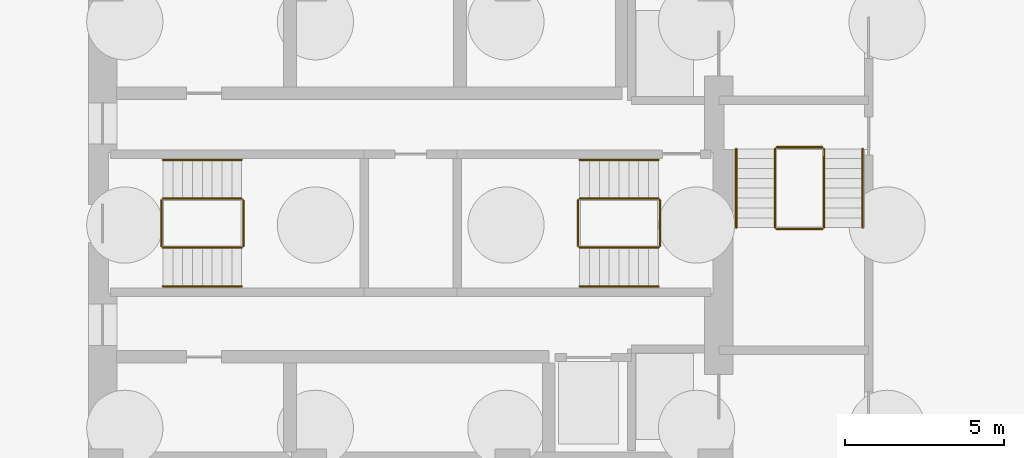
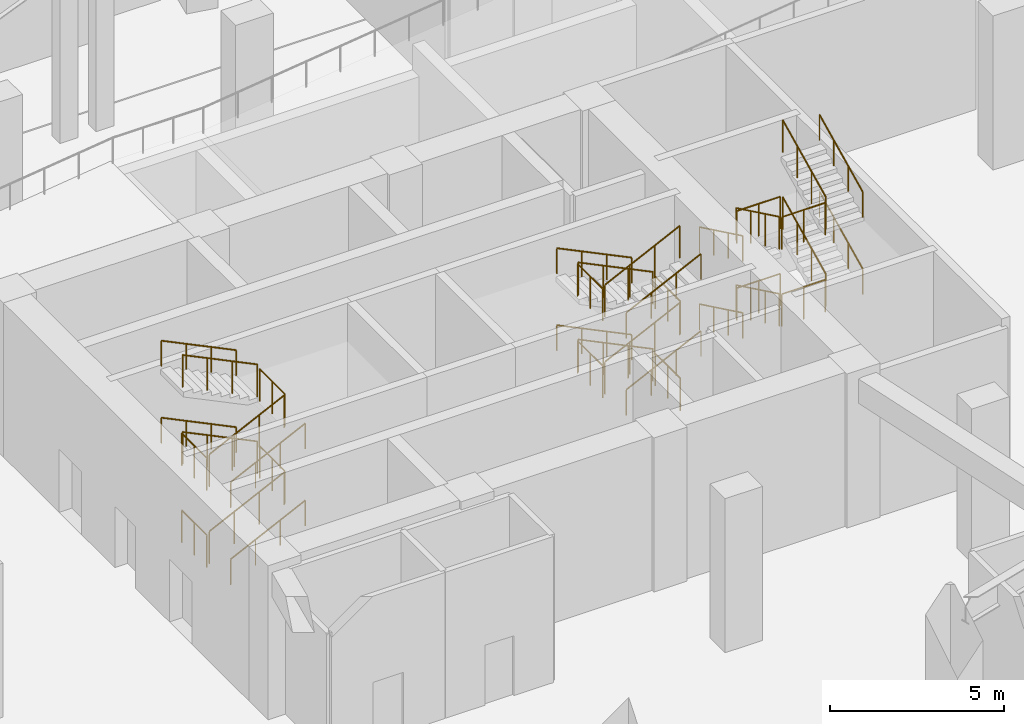
# One storey, part 6 of 8: 36 railings.
"""IFC4 building model written with IfcOpenShell, lengths in metres."""

from ifc_helpers import new_model, si_unit, direction, frame, origin, origin_2d, place, context, subcontext, project, spatial, circle, extrude, material, type_object, element, save


model = new_model("IFC4")

# Units and contexts
model_context = context("Model", 3, precision=1e-05, world=origin(), true_north=direction((0.0, 1.0)))
body_context = subcontext(model_context, "Body", "Model", "MODEL_VIEW")
ifc_project = project(units=[si_unit("LENGTHUNIT", "METRE"), si_unit("AREAUNIT", "SQUARE_METRE"), si_unit("VOLUMEUNIT", "CUBIC_METRE"), si_unit("PLANEANGLEUNIT", "RADIAN"), si_unit("MASSUNIT", "GRAM", prefix="KILO")], contexts=[model_context])

# Site, building, storey
site_placement = place(None, origin())
site = spatial("IfcSite", under=ifc_project, at=site_placement, CompositionType="ELEMENT")
building_placement = place(site_placement, origin())
building = spatial("IfcBuilding", under=site, at=building_placement, Name="Lazwardi Medical Tower", CompositionType="ELEMENT")
storey_placement = place(building_placement, frame((0.0, 0.0, -5.39990234375)))
storey = spatial("IfcBuildingStorey", under=building, at=storey_placement, Name="B1", CompositionType="ELEMENT", Elevation=-5.39990234375)

# Railings
ifc_material = material(Name="Stainless steel Grade 316", Category="steel")
railing_type_1 = type_object("IfcRailingType", Name="RLG-GRD-1150", PredefinedType="GUARDRAIL", material=ifc_material)
railing_1_placement = place(storey_placement, frame((28.199951171875, 27.2900390625, 0.14990234375)))
element("IfcRailing", 1, at=railing_1_placement, inside=storey, type_object=railing_type_1, Name="B1 ST1 stair guard 1", PredefinedType="GUARDRAIL", context=body_context, shape_type="SweptSolid", body=[
    extrude(circle(Radius=0.02392578125, at=origin_2d()), frame((0.0, 0.0, 1.1259765625), z_axis=(0.900164855242, 0.0, 0.435549346674), x_axis=(0.0, 1.0, 0.0)), (0.0, 0.0, 1.0), 2.755126953125),
    extrude(circle(Radius=0.02099609375, at=origin_2d()), origin(), (0.0, 0.0, 1.0), 1.099853515625),
    extrude(circle(Radius=0.02099609375, at=origin_2d()), frame((0.82666015625, 0.0, 0.39990234375)), (0.0, 0.0, 1.0), 1.099853515625),
    extrude(circle(Radius=0.02099609375, at=origin_2d()), frame((1.6533203125, 0.0, 0.800048828125)), (0.0, 0.0, 1.0), 1.099853515625),
    extrude(circle(Radius=0.02099609375, at=origin_2d()), frame((2.47998046875, 0.0, 1.199951171875)), (0.0, 0.0, 1.0), 1.099853515625),
])
railing_2_placement = place(storey_placement, frame((30.72998046875, 27.340087890625, 1.349853515625)))
element("IfcRailing", 2, at=railing_2_placement, inside=storey, type_object=railing_type_1, Name="B1 ST1 stair guard 2", PredefinedType="GUARDRAIL", context=body_context, shape_type="SweptSolid", body=[
    extrude(circle(Radius=0.02392578125, at=origin_2d()), frame((0.0, 0.0, 1.1259765625), z_axis=(0.0, 1.0, 0.0), x_axis=(-1.0, 0.0, 0.0)), (0.0, 0.0, 1.0), 1.43994140625),
    extrude(circle(Radius=0.02099609375, at=origin_2d()), origin(), (0.0, 0.0, 1.0), 1.099853515625),
    extrude(circle(Radius=0.02099609375, at=origin_2d()), frame((0.0, 0.719970703125, 0.0)), (0.0, 0.0, 1.0), 1.099853515625),
    extrude(circle(Radius=0.02099609375, at=origin_2d()), frame((0.0, 1.43994140625, 0.0)), (0.0, 0.0, 1.0), 1.099853515625),
])
railing_3_placement = place(storey_placement, frame((30.679931640625, 28.830078125, 1.5)))
element("IfcRailing", 3, at=railing_3_placement, inside=storey, type_object=railing_type_1, Name="B1 ST1 stair guard 3", PredefinedType="GUARDRAIL", context=body_context, shape_type="SweptSolid", body=[
    extrude(circle(Radius=0.02392578125, at=origin_2d()), frame((0.0, 0.0, 1.1259765625), z_axis=(-0.900164855242, 0.0, 0.435549346674), x_axis=(0.0, -1.0, 0.0)), (0.0, 0.0, 1.0), 2.755126953125),
    extrude(circle(Radius=0.02099609375, at=origin_2d()), origin(), (0.0, 0.0, 1.0), 1.099853515625),
    extrude(circle(Radius=0.02099609375, at=origin_2d()), frame((-0.82666015625, 0.0, 0.39990234375)), (0.0, 0.0, 1.0), 1.099853515625),
    extrude(circle(Radius=0.02099609375, at=origin_2d()), frame((-1.6533203125, 0.0, 0.800048828125)), (0.0, 0.0, 1.0), 1.099853515625),
    extrude(circle(Radius=0.02099609375, at=origin_2d()), frame((-2.47998046875, 0.0, 1.199951171875)), (0.0, 0.0, 1.0), 1.099853515625),
])
railing_4_placement = place(storey_placement, frame((28.14990234375, 27.340087890625, 2.699951171875)))
element("IfcRailing", 4, at=railing_4_placement, inside=storey, type_object=railing_type_1, Name="B1 ST1 stair guard 4", PredefinedType="GUARDRAIL", context=body_context, shape_type="SweptSolid", body=[
    extrude(circle(Radius=0.02392578125, at=origin_2d()), frame((0.0, 0.0, 1.1259765625), z_axis=(0.0, 1.0, 0.0), x_axis=(-1.0, 0.0, 0.0)), (0.0, 0.0, 1.0), 1.43994140625),
    extrude(circle(Radius=0.02099609375, at=origin_2d()), origin(), (0.0, 0.0, 1.0), 1.099853515625),
    extrude(circle(Radius=0.02099609375, at=origin_2d()), frame((0.0, 0.719970703125, 0.0)), (0.0, 0.0, 1.0), 1.099853515625),
    extrude(circle(Radius=0.02099609375, at=origin_2d()), frame((0.0, 1.43994140625, 0.0)), (0.0, 0.0, 1.0), 1.099853515625),
])
railing_5_placement = place(storey_placement, frame((28.199951171875, 27.2900390625, 2.849853515625)))
element("IfcRailing", 5, at=railing_5_placement, inside=storey, type_object=railing_type_1, Name="B1 ST1 stair guard 5", PredefinedType="GUARDRAIL", context=body_context, shape_type="SweptSolid", body=[
    extrude(circle(Radius=0.02392578125, at=origin_2d()), frame((0.0, 0.0, 1.1259765625), z_axis=(0.900164855242, 0.0, 0.435549346674), x_axis=(0.0, 1.0, 0.0)), (0.0, 0.0, 1.0), 2.755126953125),
    extrude(circle(Radius=0.02099609375, at=origin_2d()), origin(), (0.0, 0.0, 1.0), 1.099853515625),
    extrude(circle(Radius=0.02099609375, at=origin_2d()), frame((0.82666015625, 0.0, 0.39990234375)), (0.0, 0.0, 1.0), 1.099853515625),
    extrude(circle(Radius=0.02099609375, at=origin_2d()), frame((1.6533203125, 0.0, 0.800048828125)), (0.0, 0.0, 1.0), 1.099853515625),
    extrude(circle(Radius=0.02099609375, at=origin_2d()), frame((2.47998046875, 0.0, 1.199951171875)), (0.0, 0.0, 1.0), 1.099853515625),
])
railing_6_placement = place(storey_placement, frame((30.72998046875, 27.340087890625, 4.0498046875)))
element("IfcRailing", 6, at=railing_6_placement, inside=storey, type_object=railing_type_1, Name="B1 ST1 stair guard 6", PredefinedType="GUARDRAIL", context=body_context, shape_type="SweptSolid", body=[
    extrude(circle(Radius=0.02392578125, at=origin_2d()), frame((0.0, 0.0, 1.1259765625), z_axis=(0.0, 1.0, 0.0), x_axis=(-1.0, 0.0, 0.0)), (0.0, 0.0, 1.0), 1.43994140625),
    extrude(circle(Radius=0.02099609375, at=origin_2d()), origin(), (0.0, 0.0, 1.0), 1.099853515625),
    extrude(circle(Radius=0.02099609375, at=origin_2d()), frame((0.0, 0.719970703125, 0.0)), (0.0, 0.0, 1.0), 1.099853515625),
    extrude(circle(Radius=0.02099609375, at=origin_2d()), frame((0.0, 1.43994140625, 0.0)), (0.0, 0.0, 1.0), 1.099853515625),
])
railing_7_placement = place(storey_placement, frame((30.679931640625, 28.830078125, 4.199951171875)))
element("IfcRailing", 7, at=railing_7_placement, inside=storey, type_object=railing_type_1, Name="B1 ST1 stair guard 7", PredefinedType="GUARDRAIL", context=body_context, shape_type="SweptSolid", body=[
    extrude(circle(Radius=0.02392578125, at=origin_2d()), frame((0.0, 0.0, 1.1259765625), z_axis=(-0.900164855242, 0.0, 0.435549346674), x_axis=(0.0, -1.0, 0.0)), (0.0, 0.0, 1.0), 2.755126953125),
    extrude(circle(Radius=0.02099609375, at=origin_2d()), origin(), (0.0, 0.0, 1.0), 1.099853515625),
    extrude(circle(Radius=0.02099609375, at=origin_2d()), frame((-0.82666015625, 0.0, 0.39990234375)), (0.0, 0.0, 1.0), 1.099853515625),
    extrude(circle(Radius=0.02099609375, at=origin_2d()), frame((-1.6533203125, 0.0, 0.800048828125)), (0.0, 0.0, 1.0), 1.099853515625),
    extrude(circle(Radius=0.02099609375, at=origin_2d()), frame((-2.47998046875, 0.0, 1.199951171875)), (0.0, 0.0, 1.0), 1.099853515625),
])
railing_8_placement = place(storey_placement, frame((28.14990234375, 27.340087890625, 0.0)))
element("IfcRailing", 8, at=railing_8_placement, inside=storey, type_object=railing_type_1, Name="B1 ST1 stair guard 8", PredefinedType="GUARDRAIL", context=body_context, shape_type="SweptSolid", body=[
    extrude(circle(Radius=0.02392578125, at=origin_2d()), frame((0.0, 0.0, 1.1259765625), z_axis=(0.0, 1.0, 0.0), x_axis=(-1.0, 0.0, 0.0)), (0.0, 0.0, 1.0), 1.43994140625),
    extrude(circle(Radius=0.02099609375, at=origin_2d()), origin(), (0.0, 0.0, 1.0), 1.099853515625),
    extrude(circle(Radius=0.02099609375, at=origin_2d()), frame((0.0, 0.719970703125, 0.0)), (0.0, 0.0, 1.0), 1.099853515625),
    extrude(circle(Radius=0.02099609375, at=origin_2d()), frame((0.0, 1.43994140625, 0.0)), (0.0, 0.0, 1.0), 1.099853515625),
])
railing_9_placement = place(storey_placement, frame((43.800048828125, 28.830078125, 0.14990234375)))
element("IfcRailing", 9, at=railing_9_placement, inside=storey, type_object=railing_type_1, Name="B1 ST2 stair guard 1", PredefinedType="GUARDRAIL", context=body_context, shape_type="SweptSolid", body=[
    extrude(circle(Radius=0.02392578125, at=origin_2d()), frame((0.0, 0.0, 1.1259765625), z_axis=(-0.900164855242, 0.0, 0.435549346674), x_axis=(0.0, -1.0, 0.0)), (0.0, 0.0, 1.0), 2.755126953125),
    extrude(circle(Radius=0.02099609375, at=origin_2d()), origin(), (0.0, 0.0, 1.0), 1.099853515625),
    extrude(circle(Radius=0.02099609375, at=origin_2d()), frame((-0.82666015625, 0.0, 0.39990234375)), (0.0, 0.0, 1.0), 1.099853515625),
    extrude(circle(Radius=0.02099609375, at=origin_2d()), frame((-1.6533203125, 0.0, 0.800048828125)), (0.0, 0.0, 1.0), 1.099853515625),
    extrude(circle(Radius=0.02099609375, at=origin_2d()), frame((-2.47998046875, 0.0, 1.199951171875)), (0.0, 0.0, 1.0), 1.099853515625),
])
railing_10_placement = place(storey_placement, frame((41.27001953125, 28.780029296875, 1.349853515625)))
element("IfcRailing", 10, at=railing_10_placement, inside=storey, type_object=railing_type_1, Name="B1 ST2 stair guard 2", PredefinedType="GUARDRAIL", context=body_context, shape_type="SweptSolid", body=[
    extrude(circle(Radius=0.02392578125, at=origin_2d()), frame((0.0, 0.0, 1.1259765625), z_axis=(0.0, -1.0, 0.0), x_axis=(1.0, 0.0, 0.0)), (0.0, 0.0, 1.0), 1.43994140625),
    extrude(circle(Radius=0.02099609375, at=origin_2d()), origin(), (0.0, 0.0, 1.0), 1.099853515625),
    extrude(circle(Radius=0.02099609375, at=origin_2d()), frame((0.0, -0.719970703125, 0.0)), (0.0, 0.0, 1.0), 1.099853515625),
    extrude(circle(Radius=0.02099609375, at=origin_2d()), frame((0.0, -1.43994140625, 0.0)), (0.0, 0.0, 1.0), 1.099853515625),
])
railing_11_placement = place(storey_placement, frame((41.320068359375, 27.2900390625, 1.5)))
element("IfcRailing", 11, at=railing_11_placement, inside=storey, type_object=railing_type_1, Name="B1 ST2 stair guard 3", PredefinedType="GUARDRAIL", context=body_context, shape_type="SweptSolid", body=[
    extrude(circle(Radius=0.02392578125, at=origin_2d()), frame((0.0, 0.0, 1.1259765625), z_axis=(0.900164855242, 0.0, 0.435549346674), x_axis=(0.0, 1.0, 0.0)), (0.0, 0.0, 1.0), 2.755126953125),
    extrude(circle(Radius=0.02099609375, at=origin_2d()), origin(), (0.0, 0.0, 1.0), 1.099853515625),
    extrude(circle(Radius=0.02099609375, at=origin_2d()), frame((0.82666015625, 0.0, 0.39990234375)), (0.0, 0.0, 1.0), 1.099853515625),
    extrude(circle(Radius=0.02099609375, at=origin_2d()), frame((1.6533203125, 0.0, 0.800048828125)), (0.0, 0.0, 1.0), 1.099853515625),
    extrude(circle(Radius=0.02099609375, at=origin_2d()), frame((2.47998046875, 0.0, 1.199951171875)), (0.0, 0.0, 1.0), 1.099853515625),
])
railing_12_placement = place(storey_placement, frame((43.85009765625, 28.780029296875, 2.699951171875)))
element("IfcRailing", 12, at=railing_12_placement, inside=storey, type_object=railing_type_1, Name="B1 ST2 stair guard 4", PredefinedType="GUARDRAIL", context=body_context, shape_type="SweptSolid", body=[
    extrude(circle(Radius=0.02392578125, at=origin_2d()), frame((0.0, 0.0, 1.1259765625), z_axis=(0.0, -1.0, 0.0), x_axis=(1.0, 0.0, 0.0)), (0.0, 0.0, 1.0), 1.43994140625),
    extrude(circle(Radius=0.02099609375, at=origin_2d()), origin(), (0.0, 0.0, 1.0), 1.099853515625),
    extrude(circle(Radius=0.02099609375, at=origin_2d()), frame((0.0, -0.719970703125, 0.0)), (0.0, 0.0, 1.0), 1.099853515625),
    extrude(circle(Radius=0.02099609375, at=origin_2d()), frame((0.0, -1.43994140625, 0.0)), (0.0, 0.0, 1.0), 1.099853515625),
])
railing_13_placement = place(storey_placement, frame((43.800048828125, 28.830078125, 2.849853515625)))
element("IfcRailing", 13, at=railing_13_placement, inside=storey, type_object=railing_type_1, Name="B1 ST2 stair guard 5", PredefinedType="GUARDRAIL", context=body_context, shape_type="SweptSolid", body=[
    extrude(circle(Radius=0.02392578125, at=origin_2d()), frame((0.0, 0.0, 1.1259765625), z_axis=(-0.900164855242, 0.0, 0.435549346674), x_axis=(0.0, -1.0, 0.0)), (0.0, 0.0, 1.0), 2.755126953125),
    extrude(circle(Radius=0.02099609375, at=origin_2d()), origin(), (0.0, 0.0, 1.0), 1.099853515625),
    extrude(circle(Radius=0.02099609375, at=origin_2d()), frame((-0.82666015625, 0.0, 0.39990234375)), (0.0, 0.0, 1.0), 1.099853515625),
    extrude(circle(Radius=0.02099609375, at=origin_2d()), frame((-1.6533203125, 0.0, 0.800048828125)), (0.0, 0.0, 1.0), 1.099853515625),
    extrude(circle(Radius=0.02099609375, at=origin_2d()), frame((-2.47998046875, 0.0, 1.199951171875)), (0.0, 0.0, 1.0), 1.099853515625),
])
railing_14_placement = place(storey_placement, frame((41.27001953125, 28.780029296875, 4.0498046875)))
element("IfcRailing", 14, at=railing_14_placement, inside=storey, type_object=railing_type_1, Name="B1 ST2 stair guard 6", PredefinedType="GUARDRAIL", context=body_context, shape_type="SweptSolid", body=[
    extrude(circle(Radius=0.02392578125, at=origin_2d()), frame((0.0, 0.0, 1.1259765625), z_axis=(0.0, -1.0, 0.0), x_axis=(1.0, 0.0, 0.0)), (0.0, 0.0, 1.0), 1.43994140625),
    extrude(circle(Radius=0.02099609375, at=origin_2d()), origin(), (0.0, 0.0, 1.0), 1.099853515625),
    extrude(circle(Radius=0.02099609375, at=origin_2d()), frame((0.0, -0.719970703125, 0.0)), (0.0, 0.0, 1.0), 1.099853515625),
    extrude(circle(Radius=0.02099609375, at=origin_2d()), frame((0.0, -1.43994140625, 0.0)), (0.0, 0.0, 1.0), 1.099853515625),
])
railing_15_placement = place(storey_placement, frame((41.320068359375, 27.2900390625, 4.199951171875)))
element("IfcRailing", 15, at=railing_15_placement, inside=storey, type_object=railing_type_1, Name="B1 ST2 stair guard 7", PredefinedType="GUARDRAIL", context=body_context, shape_type="SweptSolid", body=[
    extrude(circle(Radius=0.02392578125, at=origin_2d()), frame((0.0, 0.0, 1.1259765625), z_axis=(0.900164855242, 0.0, 0.435549346674), x_axis=(0.0, 1.0, 0.0)), (0.0, 0.0, 1.0), 2.755126953125),
    extrude(circle(Radius=0.02099609375, at=origin_2d()), origin(), (0.0, 0.0, 1.0), 1.099853515625),
    extrude(circle(Radius=0.02099609375, at=origin_2d()), frame((0.82666015625, 0.0, 0.39990234375)), (0.0, 0.0, 1.0), 1.099853515625),
    extrude(circle(Radius=0.02099609375, at=origin_2d()), frame((1.6533203125, 0.0, 0.800048828125)), (0.0, 0.0, 1.0), 1.099853515625),
    extrude(circle(Radius=0.02099609375, at=origin_2d()), frame((2.47998046875, 0.0, 1.199951171875)), (0.0, 0.0, 1.0), 1.099853515625),
])
railing_16_placement = place(storey_placement, frame((43.85009765625, 28.780029296875, 0.0)))
element("IfcRailing", 16, at=railing_16_placement, inside=storey, type_object=railing_type_1, Name="B1 ST2 stair guard 8", PredefinedType="GUARDRAIL", context=body_context, shape_type="SweptSolid", body=[
    extrude(circle(Radius=0.02392578125, at=origin_2d()), frame((0.0, 0.0, 1.1259765625), z_axis=(0.0, -1.0, 0.0), x_axis=(1.0, 0.0, 0.0)), (0.0, 0.0, 1.0), 1.43994140625),
    extrude(circle(Radius=0.02099609375, at=origin_2d()), origin(), (0.0, 0.0, 1.0), 1.099853515625),
    extrude(circle(Radius=0.02099609375, at=origin_2d()), frame((0.0, -0.719970703125, 0.0)), (0.0, 0.0, 1.0), 1.099853515625),
    extrude(circle(Radius=0.02099609375, at=origin_2d()), frame((0.0, -1.43994140625, 0.0)), (0.0, 0.0, 1.0), 1.099853515625),
])
railing_17_placement = place(storey_placement, frame((47.469970703125, 30.39990234375, 0.14990234375)))
element("IfcRailing", 17, at=railing_17_placement, inside=storey, type_object=railing_type_1, Name="B1 ST3 stair guard 1", PredefinedType="GUARDRAIL", context=body_context, shape_type="SweptSolid", body=[
    extrude(circle(Radius=0.02392578125, at=origin_2d()), frame((0.0, 0.0, 1.1259765625), z_axis=(0.0, -0.900164855242, 0.435549346674), x_axis=(1.0, 0.0, 0.0)), (0.0, 0.0, 1.0), 2.755126953125),
    extrude(circle(Radius=0.02099609375, at=origin_2d()), origin(), (0.0, 0.0, 1.0), 1.099853515625),
    extrude(circle(Radius=0.02099609375, at=origin_2d()), frame((0.0, -0.82666015625, 0.39990234375)), (0.0, 0.0, 1.0), 1.099853515625),
    extrude(circle(Radius=0.02099609375, at=origin_2d()), frame((0.0, -1.6533203125, 0.800048828125)), (0.0, 0.0, 1.0), 1.099853515625),
    extrude(circle(Radius=0.02099609375, at=origin_2d()), frame((0.0, -2.47998046875, 1.199951171875)), (0.0, 0.0, 1.0), 1.099853515625),
])
railing_18_placement = place(storey_placement, frame((47.52001953125, 27.8701171875, 1.349853515625)))
element("IfcRailing", 18, at=railing_18_placement, inside=storey, type_object=railing_type_1, Name="B1 ST3 stair guard 2", PredefinedType="GUARDRAIL", context=body_context, shape_type="SweptSolid", body=[
    extrude(circle(Radius=0.02392578125, at=origin_2d()), frame((0.0, 0.0, 1.1259765625), z_axis=(1.0, 0.0, 0.0), x_axis=(0.0, 1.0, 0.0)), (0.0, 0.0, 1.0), 1.43994140625),
    extrude(circle(Radius=0.02099609375, at=origin_2d()), origin(), (0.0, 0.0, 1.0), 1.099853515625),
    extrude(circle(Radius=0.02099609375, at=origin_2d()), frame((0.719970703125, 0.0, 0.0)), (0.0, 0.0, 1.0), 1.099853515625),
    extrude(circle(Radius=0.02099609375, at=origin_2d()), frame((1.43994140625, 0.0, 0.0)), (0.0, 0.0, 1.0), 1.099853515625),
])
railing_19_placement = place(storey_placement, frame((49.010009765625, 27.919921875, 1.5)))
element("IfcRailing", 19, at=railing_19_placement, inside=storey, type_object=railing_type_1, Name="B1 ST3 stair guard 3", PredefinedType="GUARDRAIL", context=body_context, shape_type="SweptSolid", body=[
    extrude(circle(Radius=0.02392578125, at=origin_2d()), frame((0.0, 0.0, 1.1259765625), z_axis=(0.0, 0.900164855242, 0.435549346674), x_axis=(-1.0, 0.0, 0.0)), (0.0, 0.0, 1.0), 2.755126953125),
    extrude(circle(Radius=0.02099609375, at=origin_2d()), origin(), (0.0, 0.0, 1.0), 1.099853515625),
    extrude(circle(Radius=0.02099609375, at=origin_2d()), frame((0.0, 0.82666015625, 0.39990234375)), (0.0, 0.0, 1.0), 1.099853515625),
    extrude(circle(Radius=0.02099609375, at=origin_2d()), frame((0.0, 1.6533203125, 0.800048828125)), (0.0, 0.0, 1.0), 1.099853515625),
    extrude(circle(Radius=0.02099609375, at=origin_2d()), frame((0.0, 2.47998046875, 1.199951171875)), (0.0, 0.0, 1.0), 1.099853515625),
])
railing_20_placement = place(storey_placement, frame((47.52001953125, 30.449951171875, 2.699951171875)))
element("IfcRailing", 20, at=railing_20_placement, inside=storey, type_object=railing_type_1, Name="B1 ST3 stair guard 4", PredefinedType="GUARDRAIL", context=body_context, shape_type="SweptSolid", body=[
    extrude(circle(Radius=0.02392578125, at=origin_2d()), frame((0.0, 0.0, 1.1259765625), z_axis=(1.0, 0.0, 0.0), x_axis=(0.0, 1.0, 0.0)), (0.0, 0.0, 1.0), 1.43994140625),
    extrude(circle(Radius=0.02099609375, at=origin_2d()), origin(), (0.0, 0.0, 1.0), 1.099853515625),
    extrude(circle(Radius=0.02099609375, at=origin_2d()), frame((0.719970703125, 0.0, 0.0)), (0.0, 0.0, 1.0), 1.099853515625),
    extrude(circle(Radius=0.02099609375, at=origin_2d()), frame((1.43994140625, 0.0, 0.0)), (0.0, 0.0, 1.0), 1.099853515625),
])
railing_21_placement = place(storey_placement, frame((47.469970703125, 30.39990234375, 2.849853515625)))
element("IfcRailing", 21, at=railing_21_placement, inside=storey, type_object=railing_type_1, Name="B1 ST3 stair guard 5", PredefinedType="GUARDRAIL", context=body_context, shape_type="SweptSolid", body=[
    extrude(circle(Radius=0.02392578125, at=origin_2d()), frame((0.0, 0.0, 1.1259765625), z_axis=(0.0, -0.900164855242, 0.435549346674), x_axis=(1.0, 0.0, 0.0)), (0.0, 0.0, 1.0), 2.755126953125),
    extrude(circle(Radius=0.02099609375, at=origin_2d()), origin(), (0.0, 0.0, 1.0), 1.099853515625),
    extrude(circle(Radius=0.02099609375, at=origin_2d()), frame((0.0, -0.82666015625, 0.39990234375)), (0.0, 0.0, 1.0), 1.099853515625),
    extrude(circle(Radius=0.02099609375, at=origin_2d()), frame((0.0, -1.6533203125, 0.800048828125)), (0.0, 0.0, 1.0), 1.099853515625),
    extrude(circle(Radius=0.02099609375, at=origin_2d()), frame((0.0, -2.47998046875, 1.199951171875)), (0.0, 0.0, 1.0), 1.099853515625),
])
railing_22_placement = place(storey_placement, frame((47.52001953125, 27.8701171875, 4.0498046875)))
element("IfcRailing", 22, at=railing_22_placement, inside=storey, type_object=railing_type_1, Name="B1 ST3 stair guard 6", PredefinedType="GUARDRAIL", context=body_context, shape_type="SweptSolid", body=[
    extrude(circle(Radius=0.02392578125, at=origin_2d()), frame((0.0, 0.0, 1.1259765625), z_axis=(1.0, 0.0, 0.0), x_axis=(0.0, 1.0, 0.0)), (0.0, 0.0, 1.0), 1.43994140625),
    extrude(circle(Radius=0.02099609375, at=origin_2d()), origin(), (0.0, 0.0, 1.0), 1.099853515625),
    extrude(circle(Radius=0.02099609375, at=origin_2d()), frame((0.719970703125, 0.0, 0.0)), (0.0, 0.0, 1.0), 1.099853515625),
    extrude(circle(Radius=0.02099609375, at=origin_2d()), frame((1.43994140625, 0.0, 0.0)), (0.0, 0.0, 1.0), 1.099853515625),
])
railing_23_placement = place(storey_placement, frame((49.010009765625, 27.919921875, 4.199951171875)))
element("IfcRailing", 23, at=railing_23_placement, inside=storey, type_object=railing_type_1, Name="B1 ST3 stair guard 7", PredefinedType="GUARDRAIL", context=body_context, shape_type="SweptSolid", body=[
    extrude(circle(Radius=0.02392578125, at=origin_2d()), frame((0.0, 0.0, 1.1259765625), z_axis=(0.0, 0.900164855242, 0.435549346674), x_axis=(-1.0, 0.0, 0.0)), (0.0, 0.0, 1.0), 2.755126953125),
    extrude(circle(Radius=0.02099609375, at=origin_2d()), origin(), (0.0, 0.0, 1.0), 1.099853515625),
    extrude(circle(Radius=0.02099609375, at=origin_2d()), frame((0.0, 0.82666015625, 0.39990234375)), (0.0, 0.0, 1.0), 1.099853515625),
    extrude(circle(Radius=0.02099609375, at=origin_2d()), frame((0.0, 1.6533203125, 0.800048828125)), (0.0, 0.0, 1.0), 1.099853515625),
    extrude(circle(Radius=0.02099609375, at=origin_2d()), frame((0.0, 2.47998046875, 1.199951171875)), (0.0, 0.0, 1.0), 1.099853515625),
])
railing_24_placement = place(storey_placement, frame((47.52001953125, 30.449951171875, 0.0)))
element("IfcRailing", 24, at=railing_24_placement, inside=storey, type_object=railing_type_1, Name="B1 ST3 stair guard 8", PredefinedType="GUARDRAIL", context=body_context, shape_type="SweptSolid", body=[
    extrude(circle(Radius=0.02392578125, at=origin_2d()), frame((0.0, 0.0, 1.1259765625), z_axis=(1.0, 0.0, 0.0), x_axis=(0.0, 1.0, 0.0)), (0.0, 0.0, 1.0), 1.43994140625),
    extrude(circle(Radius=0.02099609375, at=origin_2d()), origin(), (0.0, 0.0, 1.0), 1.099853515625),
    extrude(circle(Radius=0.02099609375, at=origin_2d()), frame((0.719970703125, 0.0, 0.0)), (0.0, 0.0, 1.0), 1.099853515625),
    extrude(circle(Radius=0.02099609375, at=origin_2d()), frame((1.43994140625, 0.0, 0.0)), (0.0, 0.0, 1.0), 1.099853515625),
])
railing_type_2 = type_object("IfcRailingType", Name="RLG-HND-920", PredefinedType="HANDRAIL", material=ifc_material)
railing_25_placement = place(storey_placement, frame((28.199951171875, 26.070068359375, 0.14990234375)))
element("IfcRailing", 25, at=railing_25_placement, inside=storey, type_object=railing_type_2, Name="B1 ST1 stair handrail 1", PredefinedType="HANDRAIL", context=body_context, shape_type="SweptSolid", body=[
    extrude(circle(Radius=0.02392578125, at=origin_2d()), frame((0.0, 0.0, 0.8857421875), z_axis=(0.900164855242, 0.0, 0.435549346674), x_axis=(0.0, 1.0, 0.0)), (0.0, 0.0, 1.0), 2.755126953125),
    extrude(circle(Radius=0.02099609375, at=origin_2d()), origin(), (0.0, 0.0, 1.0), 0.85986328125),
    extrude(circle(Radius=0.02099609375, at=origin_2d()), frame((0.82666015625, 0.0, 0.39990234375)), (0.0, 0.0, 1.0), 0.85986328125),
    extrude(circle(Radius=0.02099609375, at=origin_2d()), frame((1.6533203125, 0.0, 0.800048828125)), (0.0, 0.0, 1.0), 0.85986328125),
    extrude(circle(Radius=0.02099609375, at=origin_2d()), frame((2.47998046875, 0.0, 1.199951171875)), (0.0, 0.0, 1.0), 0.85986328125),
])
railing_26_placement = place(storey_placement, frame((30.679931640625, 30.050048828125, 1.5)))
element("IfcRailing", 26, at=railing_26_placement, inside=storey, type_object=railing_type_2, Name="B1 ST1 stair handrail 2", PredefinedType="HANDRAIL", context=body_context, shape_type="SweptSolid", body=[
    extrude(circle(Radius=0.02392578125, at=origin_2d()), frame((0.0, 0.0, 0.8857421875), z_axis=(-0.900164855242, 0.0, 0.435549346674), x_axis=(0.0, -1.0, 0.0)), (0.0, 0.0, 1.0), 2.755126953125),
    extrude(circle(Radius=0.02099609375, at=origin_2d()), origin(), (0.0, 0.0, 1.0), 0.85986328125),
    extrude(circle(Radius=0.02099609375, at=origin_2d()), frame((-0.82666015625, 0.0, 0.39990234375)), (0.0, 0.0, 1.0), 0.85986328125),
    extrude(circle(Radius=0.02099609375, at=origin_2d()), frame((-1.6533203125, 0.0, 0.800048828125)), (0.0, 0.0, 1.0), 0.85986328125),
    extrude(circle(Radius=0.02099609375, at=origin_2d()), frame((-2.47998046875, 0.0, 1.199951171875)), (0.0, 0.0, 1.0), 0.85986328125),
])
railing_27_placement = place(storey_placement, frame((28.199951171875, 26.070068359375, 2.849853515625)))
element("IfcRailing", 27, at=railing_27_placement, inside=storey, type_object=railing_type_2, Name="B1 ST1 stair handrail 3", PredefinedType="HANDRAIL", context=body_context, shape_type="SweptSolid", body=[
    extrude(circle(Radius=0.02392578125, at=origin_2d()), frame((0.0, 0.0, 0.8857421875), z_axis=(0.900164855242, 0.0, 0.435549346674), x_axis=(0.0, 1.0, 0.0)), (0.0, 0.0, 1.0), 2.755126953125),
    extrude(circle(Radius=0.02099609375, at=origin_2d()), origin(), (0.0, 0.0, 1.0), 0.85986328125),
    extrude(circle(Radius=0.02099609375, at=origin_2d()), frame((0.82666015625, 0.0, 0.39990234375)), (0.0, 0.0, 1.0), 0.85986328125),
    extrude(circle(Radius=0.02099609375, at=origin_2d()), frame((1.6533203125, 0.0, 0.800048828125)), (0.0, 0.0, 1.0), 0.85986328125),
    extrude(circle(Radius=0.02099609375, at=origin_2d()), frame((2.47998046875, 0.0, 1.199951171875)), (0.0, 0.0, 1.0), 0.85986328125),
])
for number, where, name in (
    (28, (30.679931640625, 30.050048828125, 4.199951171875), "B1 ST1 stair handrail 4"),
    (29, (43.800048828125, 30.050048828125, 0.14990234375), "B1 ST2 stair handrail 1"),
):
    element("IfcRailing", number, at=place(storey_placement, frame(where)), inside=storey, type_object=railing_type_2, Name=name, PredefinedType="HANDRAIL", context=body_context, shape_type="SweptSolid", body=[
        extrude(circle(Radius=0.02392578125, at=origin_2d()), frame((0.0, 0.0, 0.8857421875), z_axis=(-0.900164855242, 0.0, 0.435549346674), x_axis=(0.0, -1.0, 0.0)), (0.0, 0.0, 1.0), 2.755126953125),
        extrude(circle(Radius=0.02099609375, at=origin_2d()), origin(), (0.0, 0.0, 1.0), 0.85986328125),
        extrude(circle(Radius=0.02099609375, at=origin_2d()), frame((-0.82666015625, 0.0, 0.39990234375)), (0.0, 0.0, 1.0), 0.85986328125),
        extrude(circle(Radius=0.02099609375, at=origin_2d()), frame((-1.6533203125, 0.0, 0.800048828125)), (0.0, 0.0, 1.0), 0.85986328125),
        extrude(circle(Radius=0.02099609375, at=origin_2d()), frame((-2.47998046875, 0.0, 1.199951171875)), (0.0, 0.0, 1.0), 0.85986328125),
    ])
railing_28_placement = place(storey_placement, frame((41.320068359375, 26.070068359375, 1.5)))
element("IfcRailing", 30, at=railing_28_placement, inside=storey, type_object=railing_type_2, Name="B1 ST2 stair handrail 2", PredefinedType="HANDRAIL", context=body_context, shape_type="SweptSolid", body=[
    extrude(circle(Radius=0.02392578125, at=origin_2d()), frame((0.0, 0.0, 0.8857421875), z_axis=(0.900164855242, 0.0, 0.435549346674), x_axis=(0.0, 1.0, 0.0)), (0.0, 0.0, 1.0), 2.755126953125),
    extrude(circle(Radius=0.02099609375, at=origin_2d()), origin(), (0.0, 0.0, 1.0), 0.85986328125),
    extrude(circle(Radius=0.02099609375, at=origin_2d()), frame((0.82666015625, 0.0, 0.39990234375)), (0.0, 0.0, 1.0), 0.85986328125),
    extrude(circle(Radius=0.02099609375, at=origin_2d()), frame((1.6533203125, 0.0, 0.800048828125)), (0.0, 0.0, 1.0), 0.85986328125),
    extrude(circle(Radius=0.02099609375, at=origin_2d()), frame((2.47998046875, 0.0, 1.199951171875)), (0.0, 0.0, 1.0), 0.85986328125),
])
railing_29_placement = place(storey_placement, frame((43.800048828125, 30.050048828125, 2.849853515625)))
element("IfcRailing", 31, at=railing_29_placement, inside=storey, type_object=railing_type_2, Name="B1 ST2 stair handrail 3", PredefinedType="HANDRAIL", context=body_context, shape_type="SweptSolid", body=[
    extrude(circle(Radius=0.02392578125, at=origin_2d()), frame((0.0, 0.0, 0.8857421875), z_axis=(-0.900164855242, 0.0, 0.435549346674), x_axis=(0.0, -1.0, 0.0)), (0.0, 0.0, 1.0), 2.755126953125),
    extrude(circle(Radius=0.02099609375, at=origin_2d()), origin(), (0.0, 0.0, 1.0), 0.85986328125),
    extrude(circle(Radius=0.02099609375, at=origin_2d()), frame((-0.82666015625, 0.0, 0.39990234375)), (0.0, 0.0, 1.0), 0.85986328125),
    extrude(circle(Radius=0.02099609375, at=origin_2d()), frame((-1.6533203125, 0.0, 0.800048828125)), (0.0, 0.0, 1.0), 0.85986328125),
    extrude(circle(Radius=0.02099609375, at=origin_2d()), frame((-2.47998046875, 0.0, 1.199951171875)), (0.0, 0.0, 1.0), 0.85986328125),
])
railing_30_placement = place(storey_placement, frame((41.320068359375, 26.070068359375, 4.199951171875)))
element("IfcRailing", 32, at=railing_30_placement, inside=storey, type_object=railing_type_2, Name="B1 ST2 stair handrail 4", PredefinedType="HANDRAIL", context=body_context, shape_type="SweptSolid", body=[
    extrude(circle(Radius=0.02392578125, at=origin_2d()), frame((0.0, 0.0, 0.8857421875), z_axis=(0.900164855242, 0.0, 0.435549346674), x_axis=(0.0, 1.0, 0.0)), (0.0, 0.0, 1.0), 2.755126953125),
    extrude(circle(Radius=0.02099609375, at=origin_2d()), origin(), (0.0, 0.0, 1.0), 0.85986328125),
    extrude(circle(Radius=0.02099609375, at=origin_2d()), frame((0.82666015625, 0.0, 0.39990234375)), (0.0, 0.0, 1.0), 0.85986328125),
    extrude(circle(Radius=0.02099609375, at=origin_2d()), frame((1.6533203125, 0.0, 0.800048828125)), (0.0, 0.0, 1.0), 0.85986328125),
    extrude(circle(Radius=0.02099609375, at=origin_2d()), frame((2.47998046875, 0.0, 1.199951171875)), (0.0, 0.0, 1.0), 0.85986328125),
])
railing_31_placement = place(storey_placement, frame((46.25, 30.39990234375, 0.14990234375)))
element("IfcRailing", 33, at=railing_31_placement, inside=storey, type_object=railing_type_2, Name="B1 ST3 stair handrail 1", PredefinedType="HANDRAIL", context=body_context, shape_type="SweptSolid", body=[
    extrude(circle(Radius=0.02392578125, at=origin_2d()), frame((0.0, 0.0, 0.8857421875), z_axis=(0.0, -0.900164855242, 0.435549346674), x_axis=(1.0, 0.0, 0.0)), (0.0, 0.0, 1.0), 2.755126953125),
    extrude(circle(Radius=0.02099609375, at=origin_2d()), origin(), (0.0, 0.0, 1.0), 0.85986328125),
    extrude(circle(Radius=0.02099609375, at=origin_2d()), frame((0.0, -0.82666015625, 0.39990234375)), (0.0, 0.0, 1.0), 0.85986328125),
    extrude(circle(Radius=0.02099609375, at=origin_2d()), frame((0.0, -1.6533203125, 0.800048828125)), (0.0, 0.0, 1.0), 0.85986328125),
    extrude(circle(Radius=0.02099609375, at=origin_2d()), frame((0.0, -2.47998046875, 1.199951171875)), (0.0, 0.0, 1.0), 0.85986328125),
])
railing_32_placement = place(storey_placement, frame((50.22998046875, 27.919921875, 1.5)))
element("IfcRailing", 34, at=railing_32_placement, inside=storey, type_object=railing_type_2, Name="B1 ST3 stair handrail 2", PredefinedType="HANDRAIL", context=body_context, shape_type="SweptSolid", body=[
    extrude(circle(Radius=0.02392578125, at=origin_2d()), frame((0.0, 0.0, 0.8857421875), z_axis=(0.0, 0.900164855242, 0.435549346674), x_axis=(-1.0, 0.0, 0.0)), (0.0, 0.0, 1.0), 2.755126953125),
    extrude(circle(Radius=0.02099609375, at=origin_2d()), origin(), (0.0, 0.0, 1.0), 0.85986328125),
    extrude(circle(Radius=0.02099609375, at=origin_2d()), frame((0.0, 0.82666015625, 0.39990234375)), (0.0, 0.0, 1.0), 0.85986328125),
    extrude(circle(Radius=0.02099609375, at=origin_2d()), frame((0.0, 1.6533203125, 0.800048828125)), (0.0, 0.0, 1.0), 0.85986328125),
    extrude(circle(Radius=0.02099609375, at=origin_2d()), frame((0.0, 2.47998046875, 1.199951171875)), (0.0, 0.0, 1.0), 0.85986328125),
])
railing_33_placement = place(storey_placement, frame((46.25, 30.39990234375, 2.849853515625)))
element("IfcRailing", 35, at=railing_33_placement, inside=storey, type_object=railing_type_2, Name="B1 ST3 stair handrail 3", PredefinedType="HANDRAIL", context=body_context, shape_type="SweptSolid", body=[
    extrude(circle(Radius=0.02392578125, at=origin_2d()), frame((0.0, 0.0, 0.8857421875), z_axis=(0.0, -0.900164855242, 0.435549346674), x_axis=(1.0, 0.0, 0.0)), (0.0, 0.0, 1.0), 2.755126953125),
    extrude(circle(Radius=0.02099609375, at=origin_2d()), origin(), (0.0, 0.0, 1.0), 0.85986328125),
    extrude(circle(Radius=0.02099609375, at=origin_2d()), frame((0.0, -0.82666015625, 0.39990234375)), (0.0, 0.0, 1.0), 0.85986328125),
    extrude(circle(Radius=0.02099609375, at=origin_2d()), frame((0.0, -1.6533203125, 0.800048828125)), (0.0, 0.0, 1.0), 0.85986328125),
    extrude(circle(Radius=0.02099609375, at=origin_2d()), frame((0.0, -2.47998046875, 1.199951171875)), (0.0, 0.0, 1.0), 0.85986328125),
])
railing_34_placement = place(storey_placement, frame((50.22998046875, 27.919921875, 4.199951171875)))
element("IfcRailing", 36, at=railing_34_placement, inside=storey, type_object=railing_type_2, Name="B1 ST3 stair handrail 4", PredefinedType="HANDRAIL", context=body_context, shape_type="SweptSolid", body=[
    extrude(circle(Radius=0.02392578125, at=origin_2d()), frame((0.0, 0.0, 0.8857421875), z_axis=(0.0, 0.900164855242, 0.435549346674), x_axis=(-1.0, 0.0, 0.0)), (0.0, 0.0, 1.0), 2.755126953125),
    extrude(circle(Radius=0.02099609375, at=origin_2d()), origin(), (0.0, 0.0, 1.0), 0.85986328125),
    extrude(circle(Radius=0.02099609375, at=origin_2d()), frame((0.0, 0.82666015625, 0.39990234375)), (0.0, 0.0, 1.0), 0.85986328125),
    extrude(circle(Radius=0.02099609375, at=origin_2d()), frame((0.0, 1.6533203125, 0.800048828125)), (0.0, 0.0, 1.0), 0.85986328125),
    extrude(circle(Radius=0.02099609375, at=origin_2d()), frame((0.0, 2.47998046875, 1.199951171875)), (0.0, 0.0, 1.0), 0.85986328125),
])

save(model, "model.ifc")
